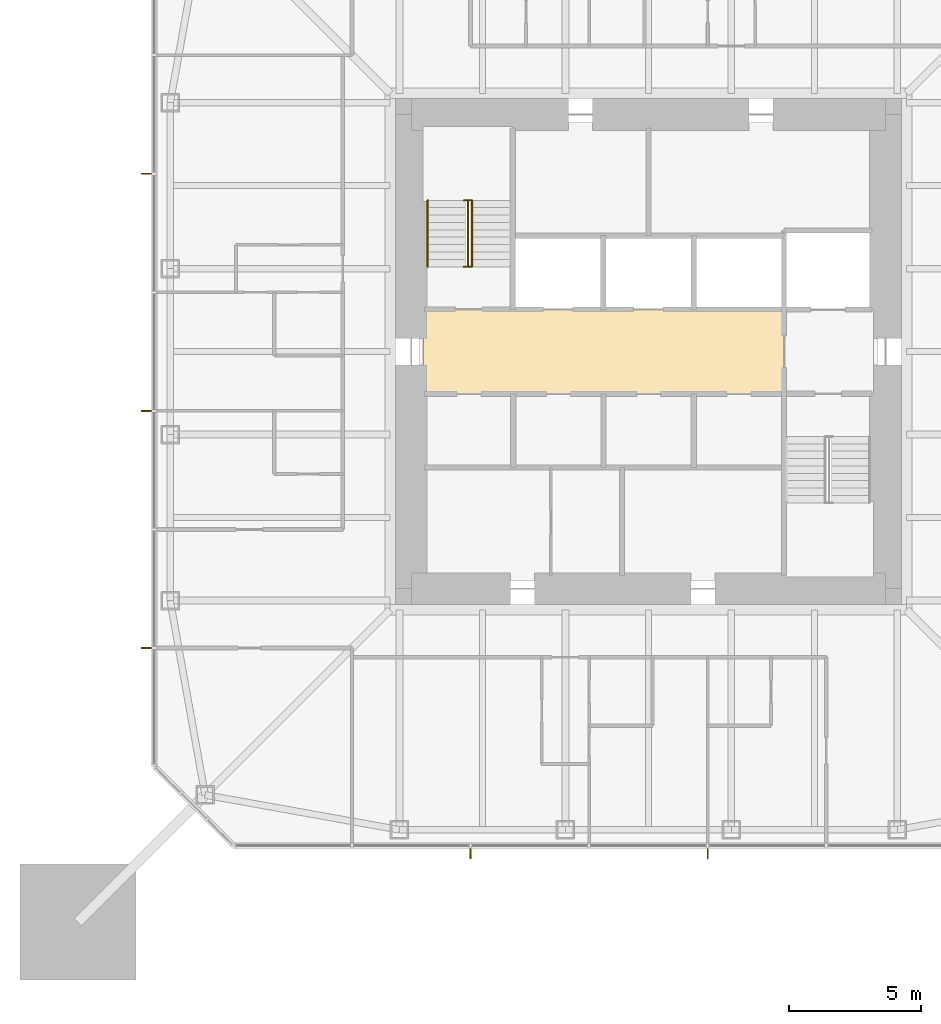
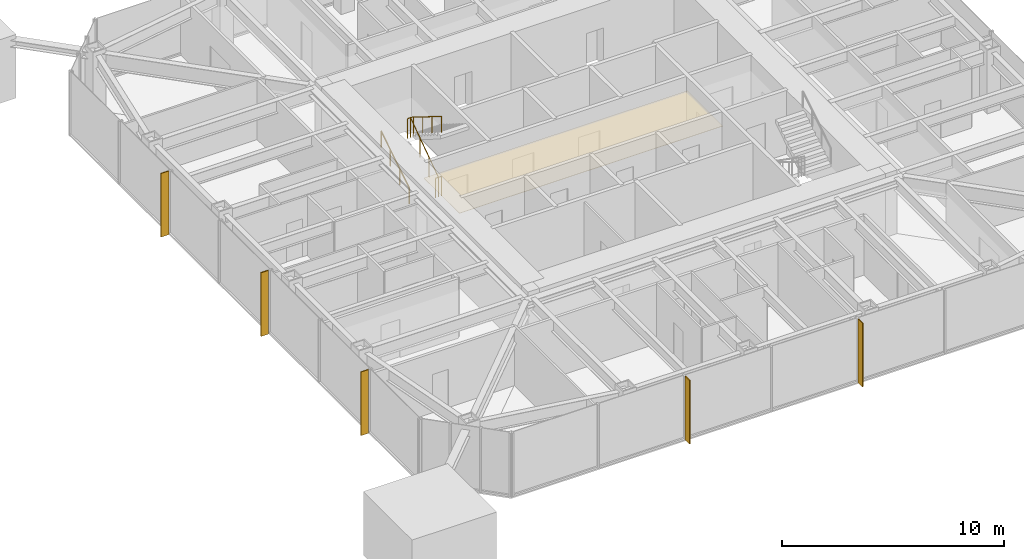
# One storey, part 9 of 11: 5 shading devices, 3 railings, 1 covering.
"""IFC4 building model written with IfcOpenShell, lengths in metres."""

from ifc_helpers import new_model, si_unit, direction, frame, origin, origin_2d, place, context, subcontext, project, spatial, polyline, rectangle, circle, outline, extrude, material, layer, layer_set, constituent, constituent_set, type_object, element, save


model = new_model("IFC4")

# Units and contexts
model_context = context("Model", 3, precision=1e-05, world=origin(), true_north=direction((0.0, 1.0)))
body_context = subcontext(model_context, "Body", "Model", "MODEL_VIEW")
ifc_project = project(units=[si_unit("LENGTHUNIT", "METRE"), si_unit("AREAUNIT", "SQUARE_METRE"), si_unit("VOLUMEUNIT", "CUBIC_METRE"), si_unit("PLANEANGLEUNIT", "RADIAN"), si_unit("MASSUNIT", "GRAM", prefix="KILO")], contexts=[model_context])

# Site, building, storey
site_placement = place(None, origin())
site = spatial("IfcSite", under=ifc_project, at=site_placement, CompositionType="ELEMENT")
building_placement = place(site_placement, origin())
building = spatial("IfcBuilding", under=site, at=building_placement, Name="Iwan Alto Co-Living Towers", CompositionType="ELEMENT")
storey_placement = place(building_placement, frame((0.0, 0.0, 170.5)))
storey = spatial("IfcBuildingStorey", under=building, at=storey_placement, Name="L46", CompositionType="ELEMENT", Elevation=170.5)

# Covering
ifc_material_1 = material(Name="Mineral fibre acoustic tiles on steel grid", Category="steel")
ifc_layer_1 = layer(ifc_material_1, 0.02001953125)
ifc_layer_set_1 = layer_set([ifc_layer_1], Name="ACOUSTIC TILE CEILING 20")
covering_type = type_object("IfcCoveringType", Name="ACOUSTIC TILE CEILING 20", PredefinedType="CEILING", material=ifc_layer_set_1)
covering_placement = place(storey_placement, frame((0.0, 0.0, 2.60009765625)))
element("IfcCovering", 1, at=covering_placement, inside=storey, type_object=covering_type, Name="Ceiling Lift lobby L46", PredefinedType="CEILING", context=body_context, shape_type="SweptSolid", body=[
    extrude(outline(polyline([(-8.550048828125, -1.60009765625), (-8.550048828125, 1.60009765625), (5.14990234375, 1.60009765625), (5.14990234375, -1.60009765625), (-8.550048828125, -1.60009765625)])), origin(), (0.0, 0.0, 1.0), 0.02001953125),
])

# Shading devices
ifc_material_2 = material(Name="Aluminium 6063-T6 bronze anodised", Category="aluminium")
ifc_layer_2 = layer(ifc_material_2, 0.050048828125)
ifc_layer_set_2 = layer_set([ifc_layer_2], Name="BRONZE FIN 50X400")
shading_device_type = type_object("IfcShadingDeviceType", Name="BRONZE FIN 50X400", PredefinedType="USERDEFINED", material=ifc_layer_set_2)
for number, where, z_axis, x_axis, name in (
    (2, (-6.75, -19.050048828125, 0.0), (0.0, 0.0, 1.0), (1.0, 0.0, 0.0), "Bronze fin L46"),
    (3, (2.25, -19.050048828125, 0.0), (0.0, 0.0, 1.0), (1.0, 0.0, 0.0), "Bronze fin L46"),
    (4, (-19.050048828125, 6.75, 0.0), (0.0, 0.0, 1.0), (0.0, -1.0, 0.0), "Bronze fin L46"),
    (5, (-19.050048828125, -2.25, 0.0), (0.0, 0.0, 1.0), (0.0, -1.0, 0.0), "Bronze fin L46"),
    (6, (-19.050048828125, -11.25, 0.0), (0.0, 0.0, 1.0), (0.0, -1.0, 0.0), "Bronze fin L46"),
):
    element("IfcShadingDevice", number, at=place(storey_placement, frame(where, z_axis=z_axis, x_axis=x_axis)), inside=storey, type_object=shading_device_type, Name=name, ObjectType="LOUVER", PredefinedType="USERDEFINED", context=body_context, shape_type="SweptSolid", body=[
        extrude(rectangle(XDim=0.050048828125, YDim=0.39990234375, at=origin_2d()), origin(), (0.0, 0.0, 1.0), 3.5),
    ])

# Railings
ifc_material_3 = material(Name="Steel ASTM A500 Gr C", Category="steel")
ifc_constituent_1 = constituent(ifc_material_3, Name="Rails and posts", Category="Framing")
ifc_material_4 = material(Name="Steel ASTM A36", Category="steel")
ifc_constituent_2 = constituent(ifc_material_4, Name="Bar infill", Category="Infill")
ifc_constituent_set = constituent_set(constituents=[ifc_constituent_1, ifc_constituent_2], Name="STAIR GUARD 1100")
railing_type_1 = type_object("IfcRailingType", Name="STAIR GUARD 1100", PredefinedType="GUARDRAIL", material=ifc_constituent_set)
railing_1_placement = place(storey_placement, frame((-6.85009765625, 3.219970703125, 0.0)))
element("IfcRailing", 7, at=railing_1_placement, inside=storey, type_object=railing_type_1, Name="Stair T1-S1 well guard L46", PredefinedType="GUARDRAIL", context=body_context, shape_type="SweptSolid", body=[
    extrude(circle(Radius=0.02392578125, at=origin_2d()), frame((0.0, 0.0, 1.076171875), z_axis=(0.0, 0.821372036852, 0.570392826987), x_axis=(-1.0, 0.0, 0.0)), (0.0, 0.0, 1.0), 3.068115234375),
    extrude(circle(Radius=0.02392578125, at=origin_2d()), frame((-0.14990234375, 0.0, 1.076171875), z_axis=(1.0, 0.0, 0.0), x_axis=(0.0, 1.0, 0.0)), (0.0, 0.0, 1.0), 0.300048828125),
    extrude(circle(Radius=0.02392578125, at=origin_2d()), frame((-0.14990234375, 2.52001953125, 2.826171875), z_axis=(1.0, 0.0, 0.0), x_axis=(0.0, 1.0, 0.0)), (0.0, 0.0, 1.0), 0.300048828125),
    extrude(circle(Radius=0.02099609375, at=origin_2d()), origin(), (0.0, 0.0, 1.0), 1.052001953125),
    extrude(circle(Radius=0.02099609375, at=origin_2d()), frame((0.0, 0.840087890625, 0.583251953125)), (0.0, 0.0, 1.0), 1.052001953125),
    extrude(circle(Radius=0.02099609375, at=origin_2d()), frame((0.0, 1.679931640625, 1.166748046875)), (0.0, 0.0, 1.0), 1.052001953125),
    extrude(circle(Radius=0.02099609375, at=origin_2d()), frame((0.0, 2.52001953125, 1.75)), (0.0, 0.0, 1.0), 1.052001953125),
    extrude(circle(Radius=0.02099609375, at=origin_2d()), frame((-0.14990234375, 0.0, 0.0)), (0.0, 0.0, 1.0), 1.052001953125),
    extrude(circle(Radius=0.02099609375, at=origin_2d()), frame((0.150146484375, 0.0, 0.0)), (0.0, 0.0, 1.0), 1.052001953125),
    extrude(circle(Radius=0.02099609375, at=origin_2d()), frame((-0.14990234375, 2.52001953125, 1.75)), (0.0, 0.0, 1.0), 1.052001953125),
    extrude(circle(Radius=0.02099609375, at=origin_2d()), frame((0.150146484375, 2.52001953125, 1.75)), (0.0, 0.0, 1.0), 1.052001953125),
])
ifc_material_5 = material(Name="Steel ASTM A500 Gr C", Category="steel")
railing_type_2 = type_object("IfcRailingType", Name="STAIR HANDRAIL 900", PredefinedType="HANDRAIL", material=ifc_material_5)
railing_2_placement = place(storey_placement, frame((-8.3798828125, 3.219970703125, 0.175048828125)))
element("IfcRailing", 8, at=railing_2_placement, inside=storey, type_object=railing_type_2, Name="Stair T1-S1 handrail 1 L46", PredefinedType="HANDRAIL", context=body_context, shape_type="SweptSolid", body=[
    extrude(circle(Radius=0.02392578125, at=origin_2d()), frame((0.0, 0.0, 0.8759765625), z_axis=(0.0, 0.848007534815, 0.529984170421), x_axis=(-1.0, 0.0, 0.0)), (0.0, 0.0, 1.0), 2.9716796875),
    extrude(circle(Radius=0.02099609375, at=origin_2d()), origin(), (0.0, 0.0, 1.0), 0.851806640625),
    extrude(circle(Radius=0.02099609375, at=origin_2d()), frame((0.0, 0.840087890625, 0.52490234375)), (0.0, 0.0, 1.0), 0.851806640625),
    extrude(circle(Radius=0.02099609375, at=origin_2d()), frame((0.0, 1.679931640625, 1.050048828125)), (0.0, 0.0, 1.0), 0.851806640625),
    extrude(circle(Radius=0.02099609375, at=origin_2d()), frame((0.0, 2.52001953125, 1.574951171875)), (0.0, 0.0, 1.0), 0.851806640625),
])
railing_3_placement = place(storey_placement, frame((-6.699951171875, 5.739990234375, 1.925048828125)))
element("IfcRailing", 9, at=railing_3_placement, inside=storey, type_object=railing_type_2, Name="Stair T1-S1 handrail 2 L46", PredefinedType="HANDRAIL", context=body_context, shape_type="SweptSolid", body=[
    extrude(circle(Radius=0.02392578125, at=origin_2d()), frame((0.0, 0.0, 0.8759765625), z_axis=(0.0, -0.848007534815, 0.529984170421), x_axis=(1.0, 0.0, 0.0)), (0.0, 0.0, 1.0), 2.9716796875),
    extrude(circle(Radius=0.02099609375, at=origin_2d()), origin(), (0.0, 0.0, 1.0), 0.851806640625),
    extrude(circle(Radius=0.02099609375, at=origin_2d()), frame((0.0, -0.840087890625, 0.52490234375)), (0.0, 0.0, 1.0), 0.851806640625),
    extrude(circle(Radius=0.02099609375, at=origin_2d()), frame((0.0, -1.679931640625, 1.050048828125)), (0.0, 0.0, 1.0), 0.851806640625),
    extrude(circle(Radius=0.02099609375, at=origin_2d()), frame((0.0, -2.52001953125, 1.574951171875)), (0.0, 0.0, 1.0), 0.851806640625),
])

save(model, "model.ifc")
